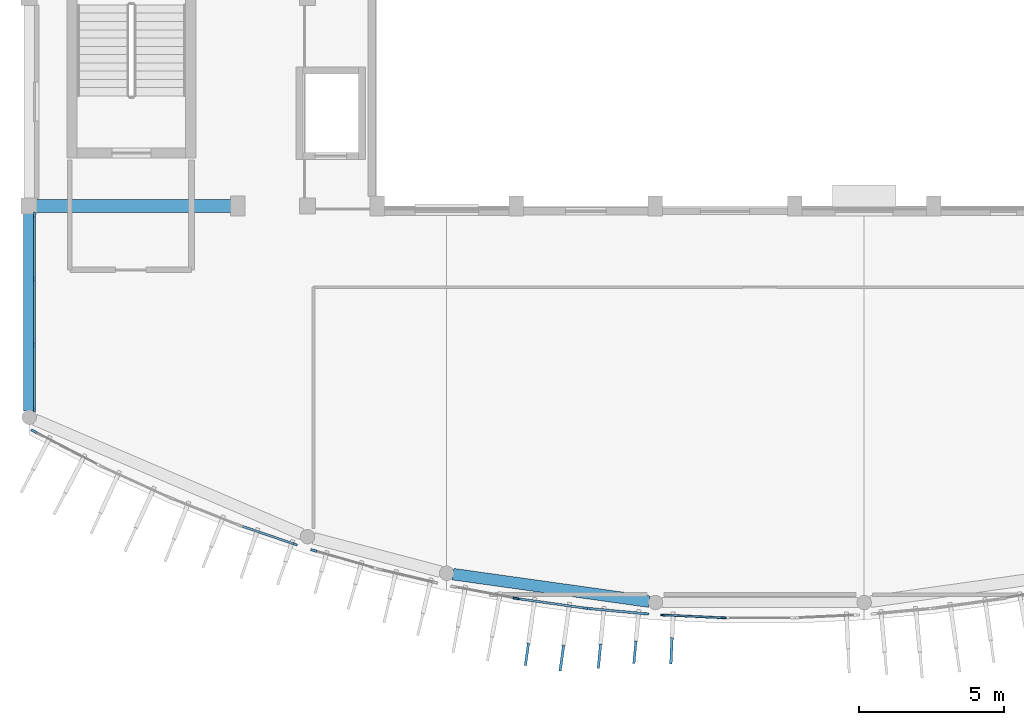
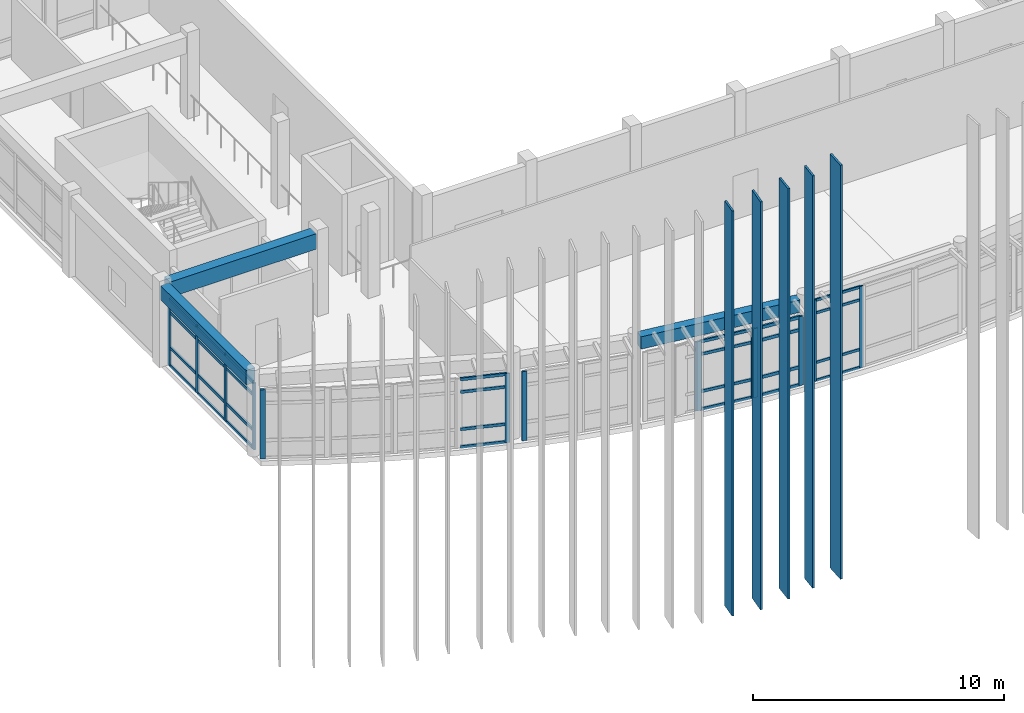
# One storey, part 6 of 47: 47 members, 3 beams, 8 elements without a shape of their own.
"""IFC4 building model written with IfcOpenShell, lengths in metres."""

from ifc_helpers import new_model, si_unit, direction, frame, origin, origin_2d, place, context, subcontext, project, spatial, rectangle, extrude, material, layer, layer_set, material_profile, profile_set, type_object, element, aggregate, save


model = new_model("IFC4")

# Units and contexts
model_context = context("Model", 3, precision=1e-05, world=origin(), true_north=direction((0.0, 1.0)))
body_context = subcontext(model_context, "Body", "Model", "MODEL_VIEW")
ifc_project = project(units=[si_unit("LENGTHUNIT", "METRE"), si_unit("AREAUNIT", "SQUARE_METRE"), si_unit("VOLUMEUNIT", "CUBIC_METRE"), si_unit("PLANEANGLEUNIT", "RADIAN"), si_unit("MASSUNIT", "GRAM", prefix="KILO")], contexts=[model_context])

# Site, building, storey
site_placement = place(None, origin())
site = spatial("IfcSite", under=ifc_project, at=site_placement, CompositionType="ELEMENT")
building_placement = place(site_placement, origin())
building = spatial("IfcBuilding", under=site, at=building_placement, Name="Brisavento Harbour Community Centre", CompositionType="ELEMENT")
storey_placement = place(building_placement, frame((0.0, 0.0, 8.699951171875)))
storey = spatial("IfcBuildingStorey", under=building, at=storey_placement, Name="L02", CompositionType="ELEMENT", Elevation=8.699951171875)

# Beams
ifc_material_1 = material(Name="Concrete C35/45", Category="concrete")
ifc_material_profile_1 = material_profile(ifc_material_1, rectangle(XDim=0.39990234375, YDim=0.699951171875, at=origin_2d()), Name="Concrete C35/45")
ifc_profile_set_1 = profile_set([ifc_material_profile_1], Name="Concrete C35/45")
beam_type_1 = type_object("IfcBeamType", Name="BM-RC-400x700", PredefinedType="BEAM", material=ifc_profile_set_1)
beam_1_placement = place(storey_placement, frame((0.0, 7.334228515625, 3.610107421875), z_axis=(0.0, 1.0, 0.0), x_axis=(-1.0, 0.0, 0.0)))
element("IfcBeam", 1, at=beam_1_placement, inside=storey, type_object=beam_type_1, Name="L02 primary girder Y0592", PredefinedType="BEAM", context=body_context, shape_type="SweptSolid", body=[
    extrude(rectangle(XDim=0.39990234375, YDim=0.699951171875, at=origin_2d()), origin(), (0.0, 0.0, 1.0), 6.82080078125),
])
ifc_material_profile_2 = material_profile(ifc_material_1, rectangle(XDim=0.449951171875, YDim=0.75, at=origin_2d()), Name="Concrete C35/45")
ifc_profile_set_2 = profile_set([ifc_material_profile_2], Name="Concrete C35/45")
beam_type_2 = type_object("IfcBeamType", Name="BM-RC-450x750", PredefinedType="BEAM", material=ifc_profile_set_2)
beam_2_placement = place(storey_placement, frame((0.2451171875, 14.39990234375, 3.5849609375), z_axis=(1.0, 0.0, 0.0), x_axis=(0.0, 1.0, 0.0)))
element("IfcBeam", 2, at=beam_2_placement, inside=storey, type_object=beam_type_2, Name="L02 primary girder X0546", PredefinedType="BEAM", context=body_context, shape_type="SweptSolid", body=[
    extrude(rectangle(XDim=0.449951171875, YDim=0.75, at=origin_2d()), origin(), (0.0, 0.0, 1.0), 6.73486328125),
])
ifc_material_profile_3 = material_profile(ifc_material_1, rectangle(XDim=0.39990234375, YDim=0.60009765625, at=origin_2d()), Name="Concrete C35/45")
ifc_profile_set_3 = profile_set([ifc_material_profile_3], Name="Concrete C35/45")
beam_type_3 = type_object("IfcBeamType", Name="BM-SPN-400x600", PredefinedType="SPANDREL", material=ifc_profile_set_3)
beam_3_placement = place(storey_placement, frame((14.617919921875, 1.703369140625, 3.66015625), z_axis=(0.990321318847, -0.138793679386, 0.0), x_axis=(0.138793679386, 0.990321318847, 0.0)))
element("IfcBeam", 3, at=beam_3_placement, inside=storey, type_object=beam_type_3, Name="L02 curved perimeter spandrel 0635", PredefinedType="SPANDREL", context=body_context, shape_type="SweptSolid", body=[
    extrude(rectangle(XDim=0.39990234375, YDim=0.60009765625, at=origin_2d()), origin(), (0.0, 0.0, 1.0), 6.830322265625),
])

# Curtain wall, members
ifc_material_2 = material(Name="Marine-anodised aluminium AW-6063-T6", Category="aluminium")
ifc_layer_1 = layer(ifc_material_2, 0.179931640625, Name="Marine-anodised aluminium AW-6063-T6")
ifc_layer_set_1 = layer_set([ifc_layer_1], Name="Marine-anodised aluminium AW-6063-T6")
curtain_wall_type_1 = type_object("IfcCurtainWallType", Name="CW-SYS-17", PredefinedType="USERDEFINED", material=ifc_layer_set_1)
curtain_wall_1_placement = place(storey_placement, origin())
curtain_wall_1 = element("IfcCurtainWall", 4, at=curtain_wall_1_placement, inside=storey, type_object=curtain_wall_type_1, Name="L02 V1 unitised curtain wall 101", ObjectType="UNITISED CURTAIN WALL", PredefinedType="USERDEFINED")
ifc_material_profile_4 = material_profile(ifc_material_2, rectangle(XDim=0.06494140625, YDim=0.1650390625, at=origin_2d()), Name="Marine-anodised aluminium AW-6063-T6")
ifc_profile_set_4 = profile_set([ifc_material_profile_4], Name="Marine-anodised aluminium AW-6063-T6")
member_type_1 = type_object("IfcMemberType", Name="CWM-01", PredefinedType="MULLION", material=ifc_profile_set_4)
member_1_placement = place(storey_placement, frame((23.957763671875, 0.196044921875, 0.0), z_axis=(0.0, 0.0, 1.0), x_axis=(-0.046167846582, -0.998933696469, 0.0)))
member_1 = element("IfcMember", 5, at=member_1_placement, type_object=member_type_1, Name="CW-17 mullion 1", PredefinedType="MULLION", context=body_context, shape_type="SweptSolid", body=[
    extrude(rectangle(XDim=0.06494140625, YDim=0.1650390625, at=origin_2d()), origin(), (0.0, 0.0, 1.0), 3.9599609375),
])
member_2_placement = place(storey_placement, frame((21.859130859375, 0.29296875, 0.0), z_axis=(0.0, 0.0, 1.0), x_axis=(-0.046167846582, -0.998933696469, 0.0)))
member_2 = element("IfcMember", 6, at=member_2_placement, type_object=member_type_1, Name="CW-17 mullion 2", PredefinedType="MULLION", context=body_context, shape_type="SweptSolid", body=[
    extrude(rectangle(XDim=0.06494140625, YDim=0.1650390625, at=origin_2d()), origin(), (0.0, 0.0, 1.0), 3.9599609375),
])

# Curtain wall, member
ifc_layer_2 = layer(ifc_material_2, 0.179931640625, Name="Marine-anodised aluminium AW-6063-T6")
ifc_layer_set_2 = layer_set([ifc_layer_2], Name="Marine-anodised aluminium AW-6063-T6")
curtain_wall_type_2 = type_object("IfcCurtainWallType", Name="CW-SYS-14", PredefinedType="USERDEFINED", material=ifc_layer_set_2)
curtain_wall_2_placement = place(storey_placement, origin())
curtain_wall_2 = element("IfcCurtainWall", 7, at=curtain_wall_2_placement, inside=storey, type_object=curtain_wall_type_2, Name="L02 V1 unitised curtain wall 098", ObjectType="UNITISED CURTAIN WALL", PredefinedType="USERDEFINED")
ifc_material_profile_5 = material_profile(ifc_material_2, rectangle(XDim=0.070068359375, YDim=0.179931640625, at=origin_2d()), Name="Marine-anodised aluminium AW-6063-T6")
ifc_profile_set_5 = profile_set([ifc_material_profile_5], Name="Marine-anodised aluminium AW-6063-T6")
member_type_2 = type_object("IfcMemberType", Name="CWM-02", PredefinedType="MULLION", material=ifc_profile_set_5)
member_3_placement = place(storey_placement, frame((16.781005859375, 0.86962890625, 0.0), z_axis=(0.0, 0.0, 1.0), x_axis=(-0.184689637418, -0.982796895513, 0.0)))
member_3 = element("IfcMember", 8, at=member_3_placement, type_object=member_type_2, Name="CW-14 mullion 1", PredefinedType="MULLION", context=body_context, shape_type="SweptSolid", body=[
    extrude(rectangle(XDim=0.070068359375, YDim=0.179931640625, at=origin_2d()), origin(), (0.0, 0.0, 1.0), 3.360107421875),
])
aggregate(curtain_wall_2, [member_3])

ifc_layer_3 = layer(ifc_material_2, 0.179931640625, Name="Marine-anodised aluminium AW-6063-T6")
ifc_layer_set_3 = layer_set([ifc_layer_3], Name="Marine-anodised aluminium AW-6063-T6")
curtain_wall_type_3 = type_object("IfcCurtainWallType", Name="CW-SYS-11", PredefinedType="USERDEFINED", material=ifc_layer_set_3)
curtain_wall_3_placement = place(storey_placement, origin())
curtain_wall_3 = element("IfcCurtainWall", 9, at=curtain_wall_3_placement, inside=storey, type_object=curtain_wall_type_3, Name="L02 V1 unitised curtain wall 095", ObjectType="UNITISED CURTAIN WALL", PredefinedType="USERDEFINED")
ifc_material_profile_6 = material_profile(ifc_material_2, rectangle(XDim=0.074951171875, YDim=0.18994140625, at=origin_2d()), Name="Marine-anodised aluminium AW-6063-T6")
ifc_profile_set_6 = profile_set([ifc_material_profile_6], Name="Marine-anodised aluminium AW-6063-T6")
member_type_3 = type_object("IfcMemberType", Name="CWM-03", PredefinedType="MULLION", material=ifc_profile_set_6)
member_4_placement = place(storey_placement, frame((9.153076171875, 2.738037109375, 0.0), z_axis=(0.0, 0.0, 1.0), x_axis=(-0.323178425743, -0.946338050136, 0.0)))
member_4 = element("IfcMember", 10, at=member_4_placement, type_object=member_type_3, Name="CW-11 mullion 1", PredefinedType="MULLION", context=body_context, shape_type="SweptSolid", body=[
    extrude(rectangle(XDim=0.074951171875, YDim=0.18994140625, at=origin_2d()), origin(), (0.0, 0.0, 1.0), 3.360107421875),
])

# Curtain wall, members
ifc_layer_4 = layer(ifc_material_2, 0.179931640625, Name="Marine-anodised aluminium AW-6063-T6")
ifc_layer_set_4 = layer_set([ifc_layer_4], Name="Marine-anodised aluminium AW-6063-T6")
curtain_wall_type_4 = type_object("IfcCurtainWallType", Name="CW-SYS-15", PredefinedType="USERDEFINED", material=ifc_layer_set_4)
curtain_wall_4_placement = place(storey_placement, origin())
curtain_wall_4 = element("IfcCurtainWall", 11, at=curtain_wall_4_placement, inside=storey, type_object=curtain_wall_type_4, Name="L02 V1 unitised curtain wall 099", ObjectType="UNITISED CURTAIN WALL", PredefinedType="USERDEFINED")
member_5_placement = place(storey_placement, frame((19.169921875, 0.533203125, 0.0), z_axis=(0.0, 0.0, 1.0), x_axis=(-0.138476944024, -0.990365657711, 0.0)))
member_5 = element("IfcMember", 12, at=member_5_placement, type_object=member_type_3, Name="CW-15 mullion 1", PredefinedType="MULLION", context=body_context, shape_type="SweptSolid", body=[
    extrude(rectangle(XDim=0.074951171875, YDim=0.18994140625, at=origin_2d()), origin(), (0.0, 0.0, 1.0), 3.360107421875),
])
member_6_placement = place(storey_placement, frame((16.8798828125, 0.853515625, 0.0), z_axis=(0.0, 0.0, 1.0), x_axis=(-0.138476944024, -0.990365657711, 0.0)))
member_6 = element("IfcMember", 13, at=member_6_placement, type_object=member_type_3, Name="CW-15 mullion 2", PredefinedType="MULLION", context=body_context, shape_type="SweptSolid", body=[
    extrude(rectangle(XDim=0.074951171875, YDim=0.18994140625, at=origin_2d()), origin(), (0.0, 0.0, 1.0), 3.360107421875),
])

ifc_layer_5 = layer(ifc_material_2, 0.179931640625, Name="Marine-anodised aluminium AW-6063-T6")
ifc_layer_set_5 = layer_set([ifc_layer_5], Name="Marine-anodised aluminium AW-6063-T6")
curtain_wall_type_5 = type_object("IfcCurtainWallType", Name="CW-SYS-03", PredefinedType="USERDEFINED", material=ifc_layer_set_5)
curtain_wall_5_placement = place(storey_placement, origin())
curtain_wall_5 = element("IfcCurtainWall", 14, at=curtain_wall_5_placement, inside=storey, type_object=curtain_wall_type_5, Name="L02 V1 unitised curtain wall 115", ObjectType="UNITISED CURTAIN WALL", PredefinedType="USERDEFINED")
member_7_placement = place(storey_placement, frame((0.179931640625, 7.38671875, 0.0), z_axis=(0.0, 0.0, 1.0), x_axis=(-1.0, 0.0, 0.0)))
member_7 = element("IfcMember", 15, at=member_7_placement, type_object=member_type_3, Name="CW-03 mullion 1", PredefinedType="MULLION", context=body_context, shape_type="SweptSolid", body=[
    extrude(rectangle(XDim=0.074951171875, YDim=0.18994140625, at=origin_2d()), origin(), (0.0, 0.0, 1.0), 3.260009765625),
])
member_8_placement = place(storey_placement, frame((0.179931640625, 9.61279296875, 0.0), z_axis=(0.0, 0.0, 1.0), x_axis=(-1.0, 0.0, 0.0)))
member_8 = element("IfcMember", 16, at=member_8_placement, type_object=member_type_3, Name="CW-03 mullion 2", PredefinedType="MULLION", context=body_context, shape_type="SweptSolid", body=[
    extrude(rectangle(XDim=0.074951171875, YDim=0.18994140625, at=origin_2d()), origin(), (0.0, 0.0, 1.0), 3.260009765625),
])
member_9_placement = place(storey_placement, frame((0.179931640625, 11.87646484375, 0.0), z_axis=(0.0, 0.0, 1.0), x_axis=(-1.0, 0.0, 0.0)))
member_9 = element("IfcMember", 17, at=member_9_placement, type_object=member_type_3, Name="CW-03 mullion 3", PredefinedType="MULLION", context=body_context, shape_type="SweptSolid", body=[
    extrude(rectangle(XDim=0.074951171875, YDim=0.18994140625, at=origin_2d()), origin(), (0.0, 0.0, 1.0), 3.260009765625),
])
member_10_placement = place(storey_placement, frame((0.179931640625, 14.1025390625, 0.0), z_axis=(0.0, 0.0, 1.0), x_axis=(-1.0, 0.0, 0.0)))
member_10 = element("IfcMember", 18, at=member_10_placement, type_object=member_type_3, Name="CW-03 mullion 4", PredefinedType="MULLION", context=body_context, shape_type="SweptSolid", body=[
    extrude(rectangle(XDim=0.074951171875, YDim=0.18994140625, at=origin_2d()), origin(), (0.0, 0.0, 1.0), 3.260009765625),
])

# Curtain wall, member
ifc_layer_6 = layer(ifc_material_2, 0.179931640625, Name="Marine-anodised aluminium AW-6063-T6")
ifc_layer_set_6 = layer_set([ifc_layer_6], Name="Marine-anodised aluminium AW-6063-T6")
curtain_wall_type_6 = type_object("IfcCurtainWallType", Name="CW-SYS-08", PredefinedType="USERDEFINED", material=ifc_layer_set_6)
curtain_wall_6_placement = place(storey_placement, origin())
curtain_wall_6 = element("IfcCurtainWall", 19, at=curtain_wall_6_placement, inside=storey, type_object=curtain_wall_type_6, Name="L02 V1 unitised curtain wall 092", ObjectType="UNITISED CURTAIN WALL", PredefinedType="USERDEFINED")
ifc_material_profile_7 = material_profile(ifc_material_2, rectangle(XDim=0.080078125, YDim=0.2099609375, at=origin_2d()), Name="Marine-anodised aluminium AW-6063-T6")
ifc_profile_set_7 = profile_set([ifc_material_profile_7], Name="Marine-anodised aluminium AW-6063-T6")
member_type_4 = type_object("IfcMemberType", Name="CWM-04", PredefinedType="MULLION", material=ifc_profile_set_7)
member_11_placement = place(storey_placement, frame((0.15869140625, 6.634521484375, 0.0), z_axis=(0.0, 0.0, 1.0), x_axis=(-0.461731608705, -0.887019684969, 0.0)))
member_11 = element("IfcMember", 20, at=member_11_placement, type_object=member_type_4, Name="CW-08 mullion 2", PredefinedType="MULLION", context=body_context, shape_type="SweptSolid", body=[
    extrude(rectangle(XDim=0.080078125, YDim=0.2099609375, at=origin_2d()), origin(), (0.0, 0.0, 1.0), 3.360107421875),
])
aggregate(curtain_wall_6, [member_11])

ifc_layer_7 = layer(ifc_material_2, 0.179931640625, Name="Marine-anodised aluminium AW-6063-T6")
ifc_layer_set_7 = layer_set([ifc_layer_7], Name="Marine-anodised aluminium AW-6063-T6")
curtain_wall_type_7 = type_object("IfcCurtainWallType", Name="CW-SYS-12", PredefinedType="USERDEFINED", material=ifc_layer_set_7)
curtain_wall_7_placement = place(storey_placement, origin())
curtain_wall_7 = element("IfcCurtainWall", 21, at=curtain_wall_7_placement, inside=storey, type_object=curtain_wall_type_7, Name="L02 V1 unitised curtain wall 096", ObjectType="UNITISED CURTAIN WALL", PredefinedType="USERDEFINED")
member_12_placement = place(storey_placement, frame((9.8115234375, 2.521484375, 0.0), z_axis=(0.0, 0.0, 1.0), x_axis=(-0.277011917183, -0.960866482785, 0.0)))
member_12 = element("IfcMember", 22, at=member_12_placement, type_object=member_type_4, Name="CW-12 mullion 2", PredefinedType="MULLION", context=body_context, shape_type="SweptSolid", body=[
    extrude(rectangle(XDim=0.080078125, YDim=0.2099609375, at=origin_2d()), origin(), (0.0, 0.0, 1.0), 3.360107421875),
])
aggregate(curtain_wall_7, [member_12])

# Curtain wall, members
ifc_layer_8 = layer(ifc_material_2, 0.179931640625, Name="Marine-anodised aluminium AW-6063-T6")
ifc_layer_set_8 = layer_set([ifc_layer_8], Name="Marine-anodised aluminium AW-6063-T6")
curtain_wall_type_8 = type_object("IfcCurtainWallType", Name="CW-SYS-16", PredefinedType="USERDEFINED", material=ifc_layer_set_8)
curtain_wall_8_placement = place(storey_placement, origin())
curtain_wall_8 = element("IfcCurtainWall", 23, at=curtain_wall_8_placement, inside=storey, type_object=curtain_wall_type_8, Name="L02 V1 unitised curtain wall 100", ObjectType="UNITISED CURTAIN WALL", PredefinedType="USERDEFINED")
member_13_placement = place(storey_placement, frame((21.265869140625, 0.336669921875, 0.0), z_axis=(0.0, 0.0, 1.0), x_axis=(-0.092260886159, -0.99573486877, 0.0)))
member_13 = element("IfcMember", 24, at=member_13_placement, type_object=member_type_4, Name="CW-16 mullion 1", PredefinedType="MULLION", context=body_context, shape_type="SweptSolid", body=[
    extrude(rectangle(XDim=0.080078125, YDim=0.2099609375, at=origin_2d()), origin(), (0.0, 0.0, 1.0), 3.360107421875),
])
member_14_placement = place(storey_placement, frame((19.2744140625, 0.52099609375, 0.0), z_axis=(0.0, 0.0, 1.0), x_axis=(-0.092260886159, -0.99573486877, 0.0)))
member_14 = element("IfcMember", 25, at=member_14_placement, type_object=member_type_4, Name="CW-16 mullion 2", PredefinedType="MULLION", context=body_context, shape_type="SweptSolid", body=[
    extrude(rectangle(XDim=0.080078125, YDim=0.2099609375, at=origin_2d()), origin(), (0.0, 0.0, 1.0), 3.360107421875),
])

# Member
ifc_material_profile_8 = material_profile(ifc_material_2, rectangle(XDim=0.06494140625, YDim=0.125, at=origin_2d()), Name="Marine-anodised aluminium AW-6063-T6")
ifc_profile_set_8 = profile_set([ifc_material_profile_8], Name="Marine-anodised aluminium AW-6063-T6")
member_type_5 = type_object("IfcMemberType", Name="CWT-01", PredefinedType="USERDEFINED", material=ifc_profile_set_8)
member_15_placement = place(storey_placement, frame((23.92529296875, 0.197509765625, 0.032470703125), z_axis=(-0.998933633845, 0.046169201564, 0.0), x_axis=(-0.046169201564, -0.998933633845, 0.0)))
member_15 = element("IfcMember", 26, at=member_15_placement, type_object=member_type_5, Name="CW-17 transom 1.1", ObjectType="TRANSOM", PredefinedType="USERDEFINED", context=body_context, shape_type="SweptSolid", body=[
    extrude(rectangle(XDim=0.06494140625, YDim=0.125, at=origin_2d()), origin(), (0.0, 0.0, 1.0), 2.035888671875),
])

member_16_placement = place(storey_placement, frame((23.92529296875, 0.197509765625, 0.900146484375), z_axis=(-0.998933633845, 0.046169201564, 0.0), x_axis=(-0.046169201564, -0.998933633845, 0.0)))
member_16 = element("IfcMember", 27, at=member_16_placement, type_object=member_type_5, Name="CW-17 transom 1.2", ObjectType="TRANSOM", PredefinedType="USERDEFINED", context=body_context, shape_type="SweptSolid", body=[
    extrude(rectangle(XDim=0.06494140625, YDim=0.125, at=origin_2d()), origin(), (0.0, 0.0, 1.0), 2.035888671875),
])

member_17_placement = place(storey_placement, frame((23.92529296875, 0.197509765625, 3.31005859375), z_axis=(-0.998933633845, 0.046169201564, 0.0), x_axis=(-0.046169201564, -0.998933633845, 0.0)))
member_17 = element("IfcMember", 28, at=member_17_placement, type_object=member_type_5, Name="CW-17 transom 1.3", ObjectType="TRANSOM", PredefinedType="USERDEFINED", context=body_context, shape_type="SweptSolid", body=[
    extrude(rectangle(XDim=0.06494140625, YDim=0.125, at=origin_2d()), origin(), (0.0, 0.0, 1.0), 2.035888671875),
])

member_18_placement = place(storey_placement, frame((23.92529296875, 0.197509765625, 3.927490234375), z_axis=(-0.998933633845, 0.046169201564, 0.0), x_axis=(-0.046169201564, -0.998933633845, 0.0)))
member_18 = element("IfcMember", 29, at=member_18_placement, type_object=member_type_5, Name="CW-17 transom 1.4", ObjectType="TRANSOM", PredefinedType="USERDEFINED", context=body_context, shape_type="SweptSolid", body=[
    extrude(rectangle(XDim=0.06494140625, YDim=0.125, at=origin_2d()), origin(), (0.0, 0.0, 1.0), 2.035888671875),
])

aggregate(curtain_wall_1, [member_1, member_2, member_15, member_16, member_17, member_18])

ifc_material_profile_9 = material_profile(ifc_material_2, rectangle(XDim=0.074951171875, YDim=0.139892578125, at=origin_2d()), Name="Marine-anodised aluminium AW-6063-T6")
ifc_profile_set_9 = profile_set([ifc_material_profile_9], Name="Marine-anodised aluminium AW-6063-T6")
member_type_6 = type_object("IfcMemberType", Name="CWT-03", PredefinedType="USERDEFINED", material=ifc_profile_set_9)
member_19_placement = place(storey_placement, frame((9.117431640625, 2.750244140625, 0.03759765625), z_axis=(-0.946362503499, 0.323106812015, 0.0), x_axis=(-0.323106812015, -0.946362503499, 0.0)))
member_19 = element("IfcMember", 30, at=member_19_placement, type_object=member_type_6, Name="CW-11 transom 1.1", ObjectType="TRANSOM", PredefinedType="USERDEFINED", context=body_context, shape_type="SweptSolid", body=[
    extrude(rectangle(XDim=0.074951171875, YDim=0.139892578125, at=origin_2d()), origin(), (0.0, 0.0, 1.0), 1.87158203125),
])

member_20_placement = place(storey_placement, frame((9.117431640625, 2.750244140625, 0.900146484375), z_axis=(-0.946362503499, 0.323106812015, 0.0), x_axis=(-0.323106812015, -0.946362503499, 0.0)))
member_20 = element("IfcMember", 31, at=member_20_placement, type_object=member_type_6, Name="CW-11 transom 1.2", ObjectType="TRANSOM", PredefinedType="USERDEFINED", context=body_context, shape_type="SweptSolid", body=[
    extrude(rectangle(XDim=0.074951171875, YDim=0.139892578125, at=origin_2d()), origin(), (0.0, 0.0, 1.0), 1.87158203125),
])

member_21_placement = place(storey_placement, frame((9.117431640625, 2.750244140625, 2.7099609375), z_axis=(-0.946362503499, 0.323106812015, 0.0), x_axis=(-0.323106812015, -0.946362503499, 0.0)))
member_21 = element("IfcMember", 32, at=member_21_placement, type_object=member_type_6, Name="CW-11 transom 1.3", ObjectType="TRANSOM", PredefinedType="USERDEFINED", context=body_context, shape_type="SweptSolid", body=[
    extrude(rectangle(XDim=0.074951171875, YDim=0.139892578125, at=origin_2d()), origin(), (0.0, 0.0, 1.0), 1.87158203125),
])

member_22_placement = place(storey_placement, frame((9.117431640625, 2.750244140625, 3.322509765625), z_axis=(-0.946362503499, 0.323106812015, 0.0), x_axis=(-0.323106812015, -0.946362503499, 0.0)))
member_22 = element("IfcMember", 33, at=member_22_placement, type_object=member_type_6, Name="CW-11 transom 1.4", ObjectType="TRANSOM", PredefinedType="USERDEFINED", context=body_context, shape_type="SweptSolid", body=[
    extrude(rectangle(XDim=0.074951171875, YDim=0.139892578125, at=origin_2d()), origin(), (0.0, 0.0, 1.0), 1.87158203125),
])

aggregate(curtain_wall_3, [member_4, member_19, member_20, member_21, member_22])

member_23_placement = place(storey_placement, frame((19.1328125, 0.53857421875, 0.03759765625), z_axis=(-0.990366303286, 0.138472326892, 0.0), x_axis=(-0.138472326892, -0.990366303286, 0.0)))
member_23 = element("IfcMember", 34, at=member_23_placement, type_object=member_type_6, Name="CW-15 transom 1.1", ObjectType="TRANSOM", PredefinedType="USERDEFINED", context=body_context, shape_type="SweptSolid", body=[
    extrude(rectangle(XDim=0.074951171875, YDim=0.139892578125, at=origin_2d()), origin(), (0.0, 0.0, 1.0), 2.2373046875),
])

member_24_placement = place(storey_placement, frame((19.1328125, 0.53857421875, 0.900146484375), z_axis=(-0.990366303286, 0.138472326892, 0.0), x_axis=(-0.138472326892, -0.990366303286, 0.0)))
member_24 = element("IfcMember", 35, at=member_24_placement, type_object=member_type_6, Name="CW-15 transom 1.2", ObjectType="TRANSOM", PredefinedType="USERDEFINED", context=body_context, shape_type="SweptSolid", body=[
    extrude(rectangle(XDim=0.074951171875, YDim=0.139892578125, at=origin_2d()), origin(), (0.0, 0.0, 1.0), 2.2373046875),
])

member_25_placement = place(storey_placement, frame((19.1328125, 0.53857421875, 2.7099609375), z_axis=(-0.990366303286, 0.138472326892, 0.0), x_axis=(-0.138472326892, -0.990366303286, 0.0)))
member_25 = element("IfcMember", 36, at=member_25_placement, type_object=member_type_6, Name="CW-15 transom 1.3", ObjectType="TRANSOM", PredefinedType="USERDEFINED", context=body_context, shape_type="SweptSolid", body=[
    extrude(rectangle(XDim=0.074951171875, YDim=0.139892578125, at=origin_2d()), origin(), (0.0, 0.0, 1.0), 2.2373046875),
])

member_26_placement = place(storey_placement, frame((19.1328125, 0.53857421875, 3.322509765625), z_axis=(-0.990366303286, 0.138472326892, 0.0), x_axis=(-0.138472326892, -0.990366303286, 0.0)))
member_26 = element("IfcMember", 37, at=member_26_placement, type_object=member_type_6, Name="CW-15 transom 1.4", ObjectType="TRANSOM", PredefinedType="USERDEFINED", context=body_context, shape_type="SweptSolid", body=[
    extrude(rectangle(XDim=0.074951171875, YDim=0.139892578125, at=origin_2d()), origin(), (0.0, 0.0, 1.0), 2.2373046875),
])

aggregate(curtain_wall_4, [member_5, member_6, member_23, member_24, member_25, member_26])

member_27_placement = place(storey_placement, frame((0.179931640625, 7.42431640625, 0.03759765625), z_axis=(0.0, 1.0, 0.0), x_axis=(-1.0, 0.0, 0.0)))
member_27 = element("IfcMember", 38, at=member_27_placement, type_object=member_type_6, Name="CW-03 transom 1.1", ObjectType="TRANSOM", PredefinedType="USERDEFINED", context=body_context, shape_type="SweptSolid", body=[
    extrude(rectangle(XDim=0.074951171875, YDim=0.139892578125, at=origin_2d()), origin(), (0.0, 0.0, 1.0), 2.15087890625),
])

member_28_placement = place(storey_placement, frame((0.179931640625, 7.42431640625, 0.900146484375), z_axis=(0.0, 1.0, 0.0), x_axis=(-1.0, 0.0, 0.0)))
member_28 = element("IfcMember", 39, at=member_28_placement, type_object=member_type_6, Name="CW-03 transom 1.2", ObjectType="TRANSOM", PredefinedType="USERDEFINED", context=body_context, shape_type="SweptSolid", body=[
    extrude(rectangle(XDim=0.074951171875, YDim=0.139892578125, at=origin_2d()), origin(), (0.0, 0.0, 1.0), 2.15087890625),
])

member_29_placement = place(storey_placement, frame((0.179931640625, 7.42431640625, 2.610107421875), z_axis=(0.0, 1.0, 0.0), x_axis=(-1.0, 0.0, 0.0)))
member_29 = element("IfcMember", 40, at=member_29_placement, type_object=member_type_6, Name="CW-03 transom 1.3", ObjectType="TRANSOM", PredefinedType="USERDEFINED", context=body_context, shape_type="SweptSolid", body=[
    extrude(rectangle(XDim=0.074951171875, YDim=0.139892578125, at=origin_2d()), origin(), (0.0, 0.0, 1.0), 2.15087890625),
])

member_30_placement = place(storey_placement, frame((0.179931640625, 7.42431640625, 3.22265625), z_axis=(0.0, 1.0, 0.0), x_axis=(-1.0, 0.0, 0.0)))
member_30 = element("IfcMember", 41, at=member_30_placement, type_object=member_type_6, Name="CW-03 transom 1.4", ObjectType="TRANSOM", PredefinedType="USERDEFINED", context=body_context, shape_type="SweptSolid", body=[
    extrude(rectangle(XDim=0.074951171875, YDim=0.139892578125, at=origin_2d()), origin(), (0.0, 0.0, 1.0), 2.15087890625),
])

member_31_placement = place(storey_placement, frame((0.179931640625, 9.650390625, 0.03759765625), z_axis=(0.0, 1.0, 0.0), x_axis=(-1.0, 0.0, 0.0)))
member_31 = element("IfcMember", 42, at=member_31_placement, type_object=member_type_6, Name="CW-03 transom 2.1", ObjectType="TRANSOM", PredefinedType="USERDEFINED", context=body_context, shape_type="SweptSolid", body=[
    extrude(rectangle(XDim=0.074951171875, YDim=0.139892578125, at=origin_2d()), origin(), (0.0, 0.0, 1.0), 2.1884765625),
])

member_32_placement = place(storey_placement, frame((0.179931640625, 9.650390625, 0.900146484375), z_axis=(0.0, 1.0, 0.0), x_axis=(-1.0, 0.0, 0.0)))
member_32 = element("IfcMember", 43, at=member_32_placement, type_object=member_type_6, Name="CW-03 transom 2.2", ObjectType="TRANSOM", PredefinedType="USERDEFINED", context=body_context, shape_type="SweptSolid", body=[
    extrude(rectangle(XDim=0.074951171875, YDim=0.139892578125, at=origin_2d()), origin(), (0.0, 0.0, 1.0), 2.1884765625),
])

member_33_placement = place(storey_placement, frame((0.179931640625, 9.650390625, 2.610107421875), z_axis=(0.0, 1.0, 0.0), x_axis=(-1.0, 0.0, 0.0)))
member_33 = element("IfcMember", 44, at=member_33_placement, type_object=member_type_6, Name="CW-03 transom 2.3", ObjectType="TRANSOM", PredefinedType="USERDEFINED", context=body_context, shape_type="SweptSolid", body=[
    extrude(rectangle(XDim=0.074951171875, YDim=0.139892578125, at=origin_2d()), origin(), (0.0, 0.0, 1.0), 2.1884765625),
])

member_34_placement = place(storey_placement, frame((0.179931640625, 9.650390625, 3.22265625), z_axis=(0.0, 1.0, 0.0), x_axis=(-1.0, 0.0, 0.0)))
member_34 = element("IfcMember", 45, at=member_34_placement, type_object=member_type_6, Name="CW-03 transom 2.4", ObjectType="TRANSOM", PredefinedType="USERDEFINED", context=body_context, shape_type="SweptSolid", body=[
    extrude(rectangle(XDim=0.074951171875, YDim=0.139892578125, at=origin_2d()), origin(), (0.0, 0.0, 1.0), 2.1884765625),
])

member_35_placement = place(storey_placement, frame((0.179931640625, 11.913818359375, 0.03759765625), z_axis=(0.0, 1.0, 0.0), x_axis=(-1.0, 0.0, 0.0)))
member_35 = element("IfcMember", 46, at=member_35_placement, type_object=member_type_6, Name="CW-03 transom 3.1", ObjectType="TRANSOM", PredefinedType="USERDEFINED", context=body_context, shape_type="SweptSolid", body=[
    extrude(rectangle(XDim=0.074951171875, YDim=0.139892578125, at=origin_2d()), origin(), (0.0, 0.0, 1.0), 2.151123046875),
])

member_36_placement = place(storey_placement, frame((0.179931640625, 11.913818359375, 0.900146484375), z_axis=(0.0, 1.0, 0.0), x_axis=(-1.0, 0.0, 0.0)))
member_36 = element("IfcMember", 47, at=member_36_placement, type_object=member_type_6, Name="CW-03 transom 3.2", ObjectType="TRANSOM", PredefinedType="USERDEFINED", context=body_context, shape_type="SweptSolid", body=[
    extrude(rectangle(XDim=0.074951171875, YDim=0.139892578125, at=origin_2d()), origin(), (0.0, 0.0, 1.0), 2.151123046875),
])

member_37_placement = place(storey_placement, frame((0.179931640625, 11.913818359375, 2.610107421875), z_axis=(0.0, 1.0, 0.0), x_axis=(-1.0, 0.0, 0.0)))
member_37 = element("IfcMember", 48, at=member_37_placement, type_object=member_type_6, Name="CW-03 transom 3.3", ObjectType="TRANSOM", PredefinedType="USERDEFINED", context=body_context, shape_type="SweptSolid", body=[
    extrude(rectangle(XDim=0.074951171875, YDim=0.139892578125, at=origin_2d()), origin(), (0.0, 0.0, 1.0), 2.151123046875),
])

member_38_placement = place(storey_placement, frame((0.179931640625, 11.913818359375, 3.22265625), z_axis=(0.0, 1.0, 0.0), x_axis=(-1.0, 0.0, 0.0)))
member_38 = element("IfcMember", 49, at=member_38_placement, type_object=member_type_6, Name="CW-03 transom 3.4", ObjectType="TRANSOM", PredefinedType="USERDEFINED", context=body_context, shape_type="SweptSolid", body=[
    extrude(rectangle(XDim=0.074951171875, YDim=0.139892578125, at=origin_2d()), origin(), (0.0, 0.0, 1.0), 2.151123046875),
])

aggregate(curtain_wall_5, [member_7, member_8, member_9, member_10, member_27, member_28, member_29, member_30, member_31, member_32, member_33, member_34, member_35, member_36, member_37, member_38])

ifc_material_profile_10 = material_profile(ifc_material_2, rectangle(XDim=0.080078125, YDim=0.155029296875, at=origin_2d()), Name="Marine-anodised aluminium AW-6063-T6")
ifc_profile_set_10 = profile_set([ifc_material_profile_10], Name="Marine-anodised aluminium AW-6063-T6")
member_type_7 = type_object("IfcMemberType", Name="CWT-04", PredefinedType="USERDEFINED", material=ifc_profile_set_10)
member_39_placement = place(storey_placement, frame((21.225830078125, 0.34033203125, 0.0400390625), z_axis=(-0.995740674056, 0.092198210561, 0.0), x_axis=(-0.092198210561, -0.995740674056, 0.0)))
member_39 = element("IfcMember", 50, at=member_39_placement, type_object=member_type_7, Name="CW-16 transom 1.1", ObjectType="TRANSOM", PredefinedType="USERDEFINED", context=body_context, shape_type="SweptSolid", body=[
    extrude(rectangle(XDim=0.080078125, YDim=0.155029296875, at=origin_2d()), origin(), (0.0, 0.0, 1.0), 1.919677734375),
])

member_40_placement = place(storey_placement, frame((21.225830078125, 0.34033203125, 0.900146484375), z_axis=(-0.995740674056, 0.092198210561, 0.0), x_axis=(-0.092198210561, -0.995740674056, 0.0)))
member_40 = element("IfcMember", 51, at=member_40_placement, type_object=member_type_7, Name="CW-16 transom 1.2", ObjectType="TRANSOM", PredefinedType="USERDEFINED", context=body_context, shape_type="SweptSolid", body=[
    extrude(rectangle(XDim=0.080078125, YDim=0.155029296875, at=origin_2d()), origin(), (0.0, 0.0, 1.0), 1.919677734375),
])

member_41_placement = place(storey_placement, frame((21.225830078125, 0.34033203125, 2.7099609375), z_axis=(-0.995740674056, 0.092198210561, 0.0), x_axis=(-0.092198210561, -0.995740674056, 0.0)))
member_41 = element("IfcMember", 52, at=member_41_placement, type_object=member_type_7, Name="CW-16 transom 1.3", ObjectType="TRANSOM", PredefinedType="USERDEFINED", context=body_context, shape_type="SweptSolid", body=[
    extrude(rectangle(XDim=0.080078125, YDim=0.155029296875, at=origin_2d()), origin(), (0.0, 0.0, 1.0), 1.919677734375),
])

member_42_placement = place(storey_placement, frame((21.225830078125, 0.34033203125, 3.320068359375), z_axis=(-0.995740674056, 0.092198210561, 0.0), x_axis=(-0.092198210561, -0.995740674056, 0.0)))
member_42 = element("IfcMember", 53, at=member_42_placement, type_object=member_type_7, Name="CW-16 transom 1.4", ObjectType="TRANSOM", PredefinedType="USERDEFINED", context=body_context, shape_type="SweptSolid", body=[
    extrude(rectangle(XDim=0.080078125, YDim=0.155029296875, at=origin_2d()), origin(), (0.0, 0.0, 1.0), 1.919677734375),
])

aggregate(curtain_wall_8, [member_13, member_14, member_39, member_40, member_41, member_42])

# Members
ifc_material_3 = material(Name="Off-white marine-anodised aluminium AW-6063-T6", Category="aluminium")
ifc_material_profile_11 = material_profile(ifc_material_3, rectangle(XDim=0.090087890625, YDim=0.89990234375, at=origin_2d()), Name="Off-white marine-anodised aluminium AW-6063-T6")
ifc_profile_set_11 = profile_set([ifc_material_profile_11], Name="Off-white marine-anodised aluminium AW-6063-T6")
member_type_8 = type_object("IfcMemberType", Name="FIN-STORM-1", PredefinedType="USERDEFINED", material=ifc_profile_set_11)
member_43_placement = place(storey_placement, frame((18.372802734375, -1.193115234375, -8.699951171875), z_axis=(0.0, 0.0, 1.0), x_axis=(-0.990362571452, 0.138499014678, 0.0)))
element("IfcMember", 54, at=member_43_placement, inside=storey, type_object=member_type_8, Name="Standing-clear white storm fin 016", ObjectType="FIN", PredefinedType="USERDEFINED", context=body_context, shape_type="SweptSolid", body=[
    extrude(rectangle(XDim=0.090087890625, YDim=0.89990234375, at=origin_2d()), origin(), (0.0, 0.0, 1.0), 19.8330078125),
])
member_44_placement = place(storey_placement, frame((22.152099609375, -0.939208984375, -8.699951171875), z_axis=(0.0, 0.0, 1.0), x_axis=(-0.9989338281, 0.0461649984, 0.0)))
element("IfcMember", 55, at=member_44_placement, inside=storey, type_object=member_type_8, Name="Standing-clear white storm fin 019", ObjectType="FIN", PredefinedType="USERDEFINED", context=body_context, shape_type="SweptSolid", body=[
    extrude(rectangle(XDim=0.090087890625, YDim=0.89990234375, at=origin_2d()), origin(), (0.0, 0.0, 1.0), 20.123291015625),
])
ifc_material_profile_12 = material_profile(ifc_material_3, rectangle(XDim=0.087890625, YDim=0.840087890625, at=origin_2d()), Name="Off-white marine-anodised aluminium AW-6063-T6")
ifc_profile_set_12 = profile_set([ifc_material_profile_12], Name="Off-white marine-anodised aluminium AW-6063-T6")
member_type_9 = type_object("IfcMemberType", Name="FIN-STORM-2", PredefinedType="USERDEFINED", material=ifc_profile_set_12)
member_45_placement = place(storey_placement, frame((19.66845703125, -1.1259765625, -8.699951171875), z_axis=(0.0, 0.0, 1.0), x_axis=(-0.99572792192, 0.092335830041, 0.0)))
element("IfcMember", 56, at=member_45_placement, inside=storey, type_object=member_type_9, Name="Standing-clear white storm fin 017", ObjectType="FIN", PredefinedType="USERDEFINED", context=body_context, shape_type="SweptSolid", body=[
    extrude(rectangle(XDim=0.087890625, YDim=0.840087890625, at=origin_2d()), origin(), (0.0, 0.0, 1.0), 19.953125),
])
ifc_material_profile_13 = material_profile(ifc_material_3, rectangle(XDim=0.0849609375, YDim=0.780029296875, at=origin_2d()), Name="Off-white marine-anodised aluminium AW-6063-T6")
ifc_profile_set_13 = profile_set([ifc_material_profile_13], Name="Off-white marine-anodised aluminium AW-6063-T6")
member_type_10 = type_object("IfcMemberType", Name="FIN-STORM-3", PredefinedType="USERDEFINED", material=ifc_profile_set_13)
member_46_placement = place(storey_placement, frame((17.167236328125, -1.065673828125, -8.699951171875), z_axis=(0.0, 0.0, 1.0), x_axis=(-0.990362571452, 0.138499014678, 0.0)))
element("IfcMember", 57, at=member_46_placement, inside=storey, type_object=member_type_10, Name="Standing-clear white storm fin 015", ObjectType="FIN", PredefinedType="USERDEFINED", context=body_context, shape_type="SweptSolid", body=[
    extrude(rectangle(XDim=0.0849609375, YDim=0.780029296875, at=origin_2d()), origin(), (0.0, 0.0, 1.0), 19.690185546875),
])
member_47_placement = place(storey_placement, frame((20.8916015625, -0.987548828125, -8.699951171875), z_axis=(0.0, 0.0, 1.0), x_axis=(-0.99572792192, 0.092335830041, 0.0)))
element("IfcMember", 58, at=member_47_placement, inside=storey, type_object=member_type_10, Name="Standing-clear white storm fin 018", ObjectType="FIN", PredefinedType="USERDEFINED", context=body_context, shape_type="SweptSolid", body=[
    extrude(rectangle(XDim=0.0849609375, YDim=0.780029296875, at=origin_2d()), origin(), (0.0, 0.0, 1.0), 20.050048828125),
])

save(model, "model.ifc")
